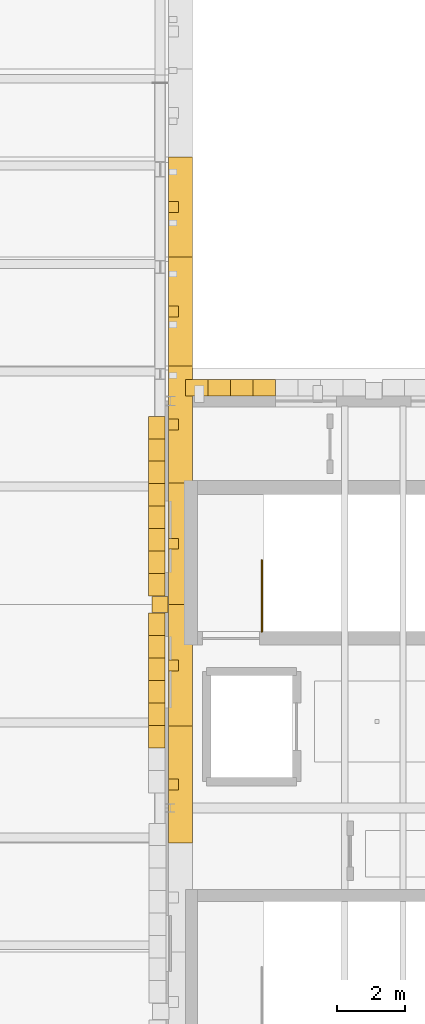
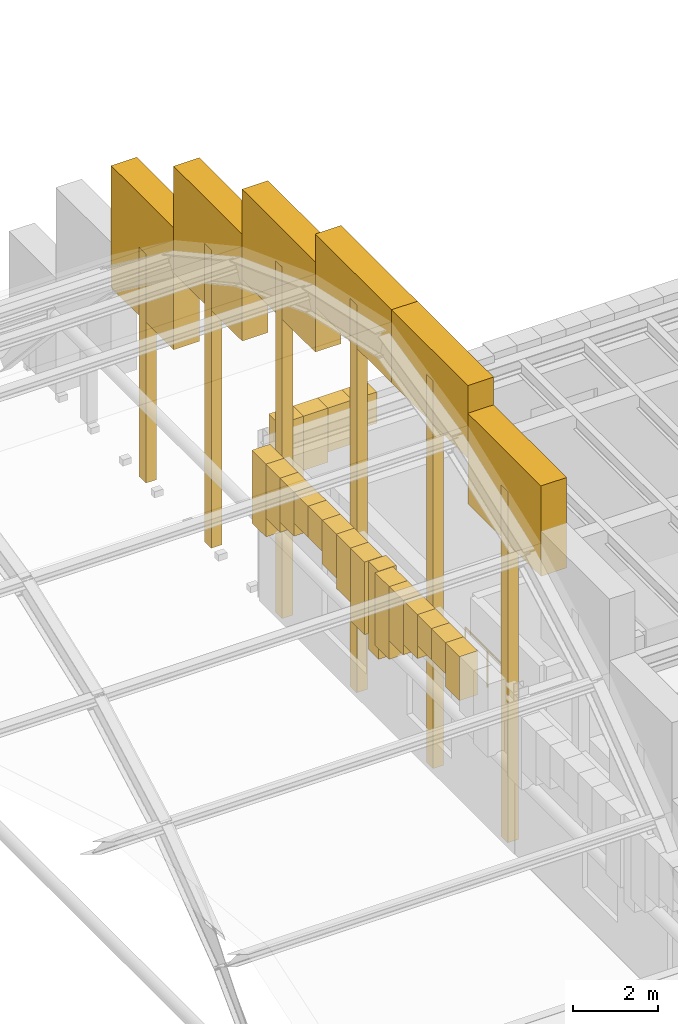
# One storey, part 28 of 35: 31 coverings, 1 railing.
"""IFC4 building model written with IfcOpenShell, lengths in metres."""

from ifc_helpers import new_model, si_unit, direction, frame, origin, origin_2d, place, context, subcontext, project, spatial, polyline, circle, outline, extrude, material, layer, layer_set, type_object, element, save


model = new_model("IFC4")

# Units and contexts
model_context = context("Model", 3, precision=1e-05, world=origin(), true_north=direction((0.0, 1.0)))
body_context = subcontext(model_context, "Body", "Model", "MODEL_VIEW")
ifc_project = project(units=[si_unit("LENGTHUNIT", "METRE"), si_unit("AREAUNIT", "SQUARE_METRE"), si_unit("VOLUMEUNIT", "CUBIC_METRE"), si_unit("PLANEANGLEUNIT", "RADIAN"), si_unit("MASSUNIT", "GRAM", prefix="KILO")], contexts=[model_context])

# Site, building, storey
site_placement = place(None, origin())
site = spatial("IfcSite", under=ifc_project, at=site_placement, CompositionType="ELEMENT")
building_placement = place(site_placement, origin())
building = spatial("IfcBuilding", under=site, at=building_placement, Name="Zlatogorsky Bluff Art Gallery", CompositionType="ELEMENT")
storey_placement = place(building_placement, frame((0.0, 0.0, 23.39990234375)))
storey = spatial("IfcBuildingStorey", under=building, at=storey_placement, Name="L04", CompositionType="ELEMENT", Elevation=23.39990234375)

# Coverings
ifc_material_1 = material(Name="Honed Red Agra-Tone Quartzitic Sandstone", Category="masonry")
ifc_layer_1 = layer(ifc_material_1, 0.1201171875)
ifc_layer_set_1 = layer_set([ifc_layer_1], Name="Carved Sandstone Cladding CLD-02")
covering_type_1 = type_object("IfcCoveringType", Name="Carved Sandstone Cladding CLD-02", PredefinedType="CLADDING", material=ifc_layer_set_1)
covering_1_placement = place(storey_placement, frame((0.0, 0.0, 2.672607421875)))
element("IfcCovering", 1, at=covering_1_placement, inside=storey, type_object=covering_type_1, Name="Pointed Mughal arch voussoir spandrel WARCH-L04-N-10-09-A.1", PredefinedType="CLADDING", context=body_context, shape_type="SweptSolid", body=[
    extrude(outline(polyline([(120.449951171875, 108.14990234375), (121.112548828125, 108.14990234375), (121.112548828125, 108.639892578125), (120.449951171875, 108.639892578125), (120.449951171875, 108.14990234375)])), origin(), (0.0, 0.0, 1.0), 2.08740234375),
])
covering_2_placement = place(storey_placement, frame((0.0, 0.0, 3.203857421875)))
element("IfcCovering", 2, at=covering_2_placement, inside=storey, type_object=covering_type_1, Name="Pointed Mughal arch voussoir spandrel WARCH-L04-N-10-09-A.2", PredefinedType="CLADDING", context=body_context, shape_type="SweptSolid", body=[
    extrude(outline(polyline([(121.112548828125, 108.14990234375), (121.77490234375, 108.14990234375), (121.77490234375, 108.639892578125), (121.112548828125, 108.639892578125), (121.112548828125, 108.14990234375)])), origin(), (0.0, 0.0, 1.0), 1.55615234375),
])
covering_3_placement = place(storey_placement, frame((0.0, 0.0, 3.496826171875)))
element("IfcCovering", 3, at=covering_3_placement, inside=storey, type_object=covering_type_1, Name="Pointed Mughal arch voussoir spandrel WARCH-L04-N-10-09-A.3", PredefinedType="CLADDING", context=body_context, shape_type="SweptSolid", body=[
    extrude(outline(polyline([(121.77490234375, 108.14990234375), (122.4375, 108.14990234375), (122.4375, 108.639892578125), (121.77490234375, 108.639892578125), (121.77490234375, 108.14990234375)])), origin(), (0.0, 0.0, 1.0), 1.26318359375),
])
covering_4_placement = place(storey_placement, frame((0.0, 0.0, 3.865478515625)))
element("IfcCovering", 4, at=covering_4_placement, inside=storey, type_object=covering_type_1, Name="Pointed Mughal arch voussoir spandrel WARCH-L04-N-10-09-A.4", PredefinedType="CLADDING", context=body_context, shape_type="SweptSolid", body=[
    extrude(outline(polyline([(122.4375, 108.14990234375), (123.10009765625, 108.14990234375), (123.10009765625, 108.639892578125), (122.4375, 108.639892578125), (122.4375, 108.14990234375)])), origin(), (0.0, 0.0, 1.0), 0.89453125),
])
covering_5_placement = place(storey_placement, frame((0.0, 0.0, 2.22998046875)))
element("IfcCovering", 5, at=covering_5_placement, inside=storey, type_object=covering_type_1, Name="Mughal blind-arch sandstone pilaster L04.W.10.9", PredefinedType="CLADDING", context=body_context, shape_type="SweptSolid", body=[
    extrude(outline(polyline([(119.4599609375, 101.760009765625), (119.93994140625, 101.760009765625), (119.93994140625, 102.239990234375), (119.4599609375, 102.239990234375), (119.4599609375, 101.760009765625)])), origin(), (0.0, 0.0, 1.0), 2.530029296875),
])
covering_6_placement = place(storey_placement, frame((0.0, 0.0, 3.496826171875)))
element("IfcCovering", 6, at=covering_6_placement, inside=storey, type_object=covering_type_1, Name="Pointed Mughal arch voussoir spandrel WARCH-L04-W-10-09-A.3", PredefinedType="CLADDING", context=body_context, shape_type="SweptSolid", body=[
    extrude(outline(polyline([(119.360107421875, 97.77490234375), (119.360107421875, 98.4375), (119.85009765625, 98.4375), (119.85009765625, 97.77490234375), (119.360107421875, 97.77490234375)])), origin(), (0.0, 0.0, 1.0), 1.26318359375),
])
covering_7_placement = place(storey_placement, frame((0.0, 0.0, 3.865478515625)))
element("IfcCovering", 7, at=covering_7_placement, inside=storey, type_object=covering_type_1, Name="Pointed Mughal arch voussoir spandrel WARCH-L04-W-10-09-A.4", PredefinedType="CLADDING", context=body_context, shape_type="SweptSolid", body=[
    extrude(outline(polyline([(119.360107421875, 98.4375), (119.360107421875, 99.10009765625), (119.85009765625, 99.10009765625), (119.85009765625, 98.4375), (119.360107421875, 98.4375)])), origin(), (0.0, 0.0, 1.0), 0.89453125),
])
covering_8_placement = place(storey_placement, frame((0.0, 0.0, 3.865478515625)))
element("IfcCovering", 8, at=covering_8_placement, inside=storey, type_object=covering_type_1, Name="Pointed Mughal arch voussoir spandrel WARCH-L04-W-10-09-A.5", PredefinedType="CLADDING", context=body_context, shape_type="SweptSolid", body=[
    extrude(outline(polyline([(119.360107421875, 99.10009765625), (119.360107421875, 99.762451171875), (119.85009765625, 99.762451171875), (119.85009765625, 99.10009765625), (119.360107421875, 99.10009765625)])), origin(), (0.0, 0.0, 1.0), 0.89453125),
])
covering_9_placement = place(storey_placement, frame((0.0, 0.0, 3.496826171875)))
element("IfcCovering", 9, at=covering_9_placement, inside=storey, type_object=covering_type_1, Name="Pointed Mughal arch voussoir spandrel WARCH-L04-W-10-09-A.6", PredefinedType="CLADDING", context=body_context, shape_type="SweptSolid", body=[
    extrude(outline(polyline([(119.360107421875, 99.762451171875), (119.360107421875, 100.425048828125), (119.85009765625, 100.425048828125), (119.85009765625, 99.762451171875), (119.360107421875, 99.762451171875)])), origin(), (0.0, 0.0, 1.0), 1.26318359375),
])
covering_10_placement = place(storey_placement, frame((0.0, 0.0, 3.203857421875)))
element("IfcCovering", 10, at=covering_10_placement, inside=storey, type_object=covering_type_1, Name="Pointed Mughal arch voussoir spandrel WARCH-L04-W-10-09-A.7", PredefinedType="CLADDING", context=body_context, shape_type="SweptSolid", body=[
    extrude(outline(polyline([(119.360107421875, 100.425048828125), (119.360107421875, 101.08740234375), (119.85009765625, 101.08740234375), (119.85009765625, 100.425048828125), (119.360107421875, 100.425048828125)])), origin(), (0.0, 0.0, 1.0), 1.55615234375),
])
covering_11_placement = place(storey_placement, frame((0.0, 0.0, 2.672607421875)))
element("IfcCovering", 11, at=covering_11_placement, inside=storey, type_object=covering_type_1, Name="Pointed Mughal arch voussoir spandrel WARCH-L04-W-10-09-A.8", PredefinedType="CLADDING", context=body_context, shape_type="SweptSolid", body=[
    extrude(outline(polyline([(119.360107421875, 101.08740234375), (119.360107421875, 101.75), (119.85009765625, 101.75), (119.85009765625, 101.08740234375), (119.360107421875, 101.08740234375)])), origin(), (0.0, 0.0, 1.0), 2.08740234375),
])
covering_12_placement = place(storey_placement, frame((0.0, 0.0, 2.672607421875)))
element("IfcCovering", 12, at=covering_12_placement, inside=storey, type_object=covering_type_1, Name="Pointed Mughal arch voussoir spandrel WARCH-L04-W-10-09-B.1", PredefinedType="CLADDING", context=body_context, shape_type="SweptSolid", body=[
    extrude(outline(polyline([(119.360107421875, 102.25), (119.360107421875, 102.91259765625), (119.85009765625, 102.91259765625), (119.85009765625, 102.25), (119.360107421875, 102.25)])), origin(), (0.0, 0.0, 1.0), 2.08740234375),
])
covering_13_placement = place(storey_placement, frame((0.0, 0.0, 3.203857421875)))
element("IfcCovering", 13, at=covering_13_placement, inside=storey, type_object=covering_type_1, Name="Pointed Mughal arch voussoir spandrel WARCH-L04-W-10-09-B.2", PredefinedType="CLADDING", context=body_context, shape_type="SweptSolid", body=[
    extrude(outline(polyline([(119.360107421875, 102.91259765625), (119.360107421875, 103.574951171875), (119.85009765625, 103.574951171875), (119.85009765625, 102.91259765625), (119.360107421875, 102.91259765625)])), origin(), (0.0, 0.0, 1.0), 1.55615234375),
])
covering_14_placement = place(storey_placement, frame((0.0, 0.0, 3.496826171875)))
element("IfcCovering", 14, at=covering_14_placement, inside=storey, type_object=covering_type_1, Name="Pointed Mughal arch voussoir spandrel WARCH-L04-W-10-09-B.3", PredefinedType="CLADDING", context=body_context, shape_type="SweptSolid", body=[
    extrude(outline(polyline([(119.360107421875, 103.574951171875), (119.360107421875, 104.237548828125), (119.85009765625, 104.237548828125), (119.85009765625, 103.574951171875), (119.360107421875, 103.574951171875)])), origin(), (0.0, 0.0, 1.0), 1.26318359375),
])
covering_15_placement = place(storey_placement, frame((0.0, 0.0, 3.865478515625)))
element("IfcCovering", 15, at=covering_15_placement, inside=storey, type_object=covering_type_1, Name="Pointed Mughal arch voussoir spandrel WARCH-L04-W-10-09-B.4", PredefinedType="CLADDING", context=body_context, shape_type="SweptSolid", body=[
    extrude(outline(polyline([(119.360107421875, 104.237548828125), (119.360107421875, 104.89990234375), (119.85009765625, 104.89990234375), (119.85009765625, 104.237548828125), (119.360107421875, 104.237548828125)])), origin(), (0.0, 0.0, 1.0), 0.89453125),
])
covering_16_placement = place(storey_placement, frame((0.0, 0.0, 3.865478515625)))
element("IfcCovering", 16, at=covering_16_placement, inside=storey, type_object=covering_type_1, Name="Pointed Mughal arch voussoir spandrel WARCH-L04-W-10-09-B.5", PredefinedType="CLADDING", context=body_context, shape_type="SweptSolid", body=[
    extrude(outline(polyline([(119.360107421875, 104.89990234375), (119.360107421875, 105.5625), (119.85009765625, 105.5625), (119.85009765625, 104.89990234375), (119.360107421875, 104.89990234375)])), origin(), (0.0, 0.0, 1.0), 0.89453125),
])
covering_17_placement = place(storey_placement, frame((0.0, 0.0, 3.496826171875)))
element("IfcCovering", 17, at=covering_17_placement, inside=storey, type_object=covering_type_1, Name="Pointed Mughal arch voussoir spandrel WARCH-L04-W-10-09-B.6", PredefinedType="CLADDING", context=body_context, shape_type="SweptSolid", body=[
    extrude(outline(polyline([(119.360107421875, 105.5625), (119.360107421875, 106.22509765625), (119.85009765625, 106.22509765625), (119.85009765625, 105.5625), (119.360107421875, 105.5625)])), origin(), (0.0, 0.0, 1.0), 1.26318359375),
])
covering_18_placement = place(storey_placement, frame((0.0, 0.0, 3.203857421875)))
element("IfcCovering", 18, at=covering_18_placement, inside=storey, type_object=covering_type_1, Name="Pointed Mughal arch voussoir spandrel WARCH-L04-W-10-09-B.7", PredefinedType="CLADDING", context=body_context, shape_type="SweptSolid", body=[
    extrude(outline(polyline([(119.360107421875, 106.22509765625), (119.360107421875, 106.887451171875), (119.85009765625, 106.887451171875), (119.85009765625, 106.22509765625), (119.360107421875, 106.22509765625)])), origin(), (0.0, 0.0, 1.0), 1.55615234375),
])
covering_19_placement = place(storey_placement, frame((0.0, 0.0, 2.672607421875)))
element("IfcCovering", 19, at=covering_19_placement, inside=storey, type_object=covering_type_1, Name="Pointed Mughal arch voussoir spandrel WARCH-L04-W-10-09-B.8", PredefinedType="CLADDING", context=body_context, shape_type="SweptSolid", body=[
    extrude(outline(polyline([(119.360107421875, 106.887451171875), (119.360107421875, 107.550048828125), (119.85009765625, 107.550048828125), (119.85009765625, 106.887451171875), (119.360107421875, 106.887451171875)])), origin(), (0.0, 0.0, 1.0), 2.08740234375),
])
covering_20_placement = place(storey_placement, frame((0.0, 0.0, 8.556884765625)))
element("IfcCovering", 20, at=covering_20_placement, inside=storey, type_object=covering_type_1, Name="Barrel vault Mughal pointed gable archivolt EAST.5", PredefinedType="CLADDING", context=body_context, shape_type="SweptSolid", body=[
    extrude(outline(polyline([(119.949951171875, 94.97265625), (120.64990234375, 94.97265625), (120.64990234375, 98.412109375), (119.949951171875, 98.412109375), (119.949951171875, 94.97265625)])), origin(), (0.0, 0.0, 1.0), 2.595703125),
])
covering_21_placement = place(storey_placement, frame((0.0, 0.0, 9.8525390625)))
element("IfcCovering", 21, at=covering_21_placement, inside=storey, type_object=covering_type_1, Name="Barrel vault Mughal pointed gable archivolt EAST.6", PredefinedType="CLADDING", context=body_context, shape_type="SweptSolid", body=[
    extrude(outline(polyline([(119.949951171875, 98.412109375), (120.64990234375, 98.412109375), (120.64990234375, 102.0), (119.949951171875, 102.0), (119.949951171875, 98.412109375)])), origin(), (0.0, 0.0, 1.0), 2.09765625),
])
covering_22_placement = place(storey_placement, frame((0.0, 0.0, 9.8525390625)))
element("IfcCovering", 22, at=covering_22_placement, inside=storey, type_object=covering_type_1, Name="Barrel vault Mughal pointed gable archivolt EAST.7", PredefinedType="CLADDING", context=body_context, shape_type="SweptSolid", body=[
    extrude(outline(polyline([(119.949951171875, 102.0), (120.64990234375, 102.0), (120.64990234375, 105.587890625), (119.949951171875, 105.587890625), (119.949951171875, 102.0)])), origin(), (0.0, 0.0, 1.0), 2.09765625),
])
covering_23_placement = place(storey_placement, frame((0.0, 0.0, 8.556884765625)))
element("IfcCovering", 23, at=covering_23_placement, inside=storey, type_object=covering_type_1, Name="Barrel vault Mughal pointed gable archivolt EAST.8", PredefinedType="CLADDING", context=body_context, shape_type="SweptSolid", body=[
    extrude(outline(polyline([(119.949951171875, 105.587890625), (120.64990234375, 105.587890625), (120.64990234375, 109.02734375), (119.949951171875, 109.02734375), (119.949951171875, 105.587890625)])), origin(), (0.0, 0.0, 1.0), 2.595703125),
])
covering_24_placement = place(storey_placement, frame((0.0, 0.0, 6.789306640625)))
element("IfcCovering", 24, at=covering_24_placement, inside=storey, type_object=covering_type_1, Name="Barrel vault Mughal pointed gable archivolt EAST.9", PredefinedType="CLADDING", context=body_context, shape_type="SweptSolid", body=[
    extrude(outline(polyline([(119.949951171875, 109.02734375), (120.64990234375, 109.02734375), (120.64990234375, 112.249755859375), (119.949951171875, 112.249755859375), (119.949951171875, 109.02734375)])), origin(), (0.0, 0.0, 1.0), 3.067626953125),
])
covering_25_placement = place(storey_placement, frame((0.0, 0.0, 4.5849609375)))
element("IfcCovering", 25, at=covering_25_placement, inside=storey, type_object=covering_type_1, Name="Barrel vault Mughal pointed gable archivolt EAST.10", PredefinedType="CLADDING", context=body_context, shape_type="SweptSolid", body=[
    extrude(outline(polyline([(119.949951171875, 112.249755859375), (120.64990234375, 112.249755859375), (120.64990234375, 115.190673828125), (119.949951171875, 115.190673828125), (119.949951171875, 112.249755859375)])), origin(), (0.0, 0.0, 1.0), 3.50439453125),
])

# Railing
ifc_material_2 = material(Name="Architectural Bronze and Laminated Glass", Category="glass")
railing_type = type_object("IfcRailingType", Name="Gallery Guard Rail 1100mm", PredefinedType="GUARDRAIL", material=ifc_material_2)
railing_placement = place(storey_placement, frame((122.699951171875, 101.199951171875, 0.0)))
element("IfcRailing", 26, at=railing_placement, inside=storey, type_object=railing_type, Name="L04 ST-03 top well guard 1", PredefinedType="GUARDRAIL", context=body_context, shape_type="SweptSolid", body=[
    extrude(circle(Radius=0.02392578125, at=origin_2d()), frame((0.0, 0.0, 1.076171875), z_axis=(0.0, 1.0, 0.0), x_axis=(-1.0, 0.0, 0.0)), (0.0, 0.0, 1.0), 2.10009765625),
    extrude(circle(Radius=0.02099609375, at=origin_2d()), origin(), (0.0, 0.0, 1.0), 1.052001953125),
    extrude(circle(Radius=0.02099609375, at=origin_2d()), frame((0.0, 1.050048828125, 0.0)), (0.0, 0.0, 1.0), 1.052001953125),
    extrude(circle(Radius=0.02099609375, at=origin_2d()), frame((0.0, 2.10009765625, 0.0)), (0.0, 0.0, 1.0), 1.052001953125),
])

# Coverings
ifc_material_3 = material(Name="Patinated Architectural Bronze Fin", Category="metal")
ifc_layer_2 = layer(ifc_material_3, 0.110107421875)
ifc_layer_set_2 = layer_set([ifc_layer_2], Name="Vertical Gallery Fin FIN-01")
covering_type_2 = type_object("IfcCoveringType", Name="Vertical Gallery Fin FIN-01", PredefinedType="CLADDING", material=ifc_layer_set_2)
covering_26_placement = place(storey_placement, frame((0.0, 0.0, -0.039794921875)))
element("IfcCovering", 27, at=covering_26_placement, inside=storey, type_object=covering_type_2, Name="Barrel vault gable tympanum bronze mullion EAST.5", PredefinedType="CLADDING", context=body_context, shape_type="SweptSolid", body=[
    extrude(outline(polyline([(119.949951171875, 96.532470703125), (120.239990234375, 96.532470703125), (120.239990234375, 96.8525390625), (119.949951171875, 96.8525390625), (119.949951171875, 96.532470703125)])), origin(), (0.0, 0.0, 1.0), 10.094482421875),
])
covering_27_placement = place(storey_placement, frame((0.0, 0.0, -0.039794921875)))
element("IfcCovering", 28, at=covering_27_placement, inside=storey, type_object=covering_type_2, Name="Barrel vault gable tympanum bronze mullion EAST.6", PredefinedType="CLADDING", context=body_context, shape_type="SweptSolid", body=[
    extrude(outline(polyline([(119.949951171875, 100.046142578125), (120.239990234375, 100.046142578125), (120.239990234375, 100.3662109375), (119.949951171875, 100.3662109375), (119.949951171875, 100.046142578125)])), origin(), (0.0, 0.0, 1.0), 11.14111328125),
])
covering_28_placement = place(storey_placement, frame((0.0, 0.0, -0.039794921875)))
element("IfcCovering", 29, at=covering_28_placement, inside=storey, type_object=covering_type_2, Name="Barrel vault gable tympanum bronze mullion EAST.7", PredefinedType="CLADDING", context=body_context, shape_type="SweptSolid", body=[
    extrude(outline(polyline([(119.949951171875, 103.6337890625), (120.239990234375, 103.6337890625), (120.239990234375, 103.953857421875), (119.949951171875, 103.953857421875), (119.949951171875, 103.6337890625)])), origin(), (0.0, 0.0, 1.0), 11.14111328125),
])
covering_29_placement = place(storey_placement, frame((0.0, 0.0, -0.039794921875)))
element("IfcCovering", 30, at=covering_29_placement, inside=storey, type_object=covering_type_2, Name="Barrel vault gable tympanum bronze mullion EAST.8", PredefinedType="CLADDING", context=body_context, shape_type="SweptSolid", body=[
    extrude(outline(polyline([(119.949951171875, 107.1474609375), (120.239990234375, 107.1474609375), (120.239990234375, 107.467529296875), (119.949951171875, 107.467529296875), (119.949951171875, 107.1474609375)])), origin(), (0.0, 0.0, 1.0), 10.094482421875),
])
covering_30_placement = place(storey_placement, frame((0.0, 0.0, -0.039794921875)))
element("IfcCovering", 31, at=covering_30_placement, inside=storey, type_object=covering_type_2, Name="Barrel vault gable tympanum bronze mullion EAST.9", PredefinedType="CLADDING", context=body_context, shape_type="SweptSolid", body=[
    extrude(outline(polyline([(119.949951171875, 110.478515625), (120.239990234375, 110.478515625), (120.239990234375, 110.798583984375), (119.949951171875, 110.798583984375), (119.949951171875, 110.478515625)])), origin(), (0.0, 0.0, 1.0), 8.56298828125),
])
covering_31_placement = place(storey_placement, frame((0.0, 0.0, -0.039794921875)))
element("IfcCovering", 32, at=covering_31_placement, inside=storey, type_object=covering_type_2, Name="Barrel vault gable tympanum bronze mullion EAST.10", PredefinedType="CLADDING", context=body_context, shape_type="SweptSolid", body=[
    extrude(outline(polyline([(119.949951171875, 113.560302734375), (120.239990234375, 113.560302734375), (120.239990234375, 113.880126953125), (119.949951171875, 113.880126953125), (119.949951171875, 113.560302734375)])), origin(), (0.0, 0.0, 1.0), 6.576904296875),
])

save(model, "model.ifc")
